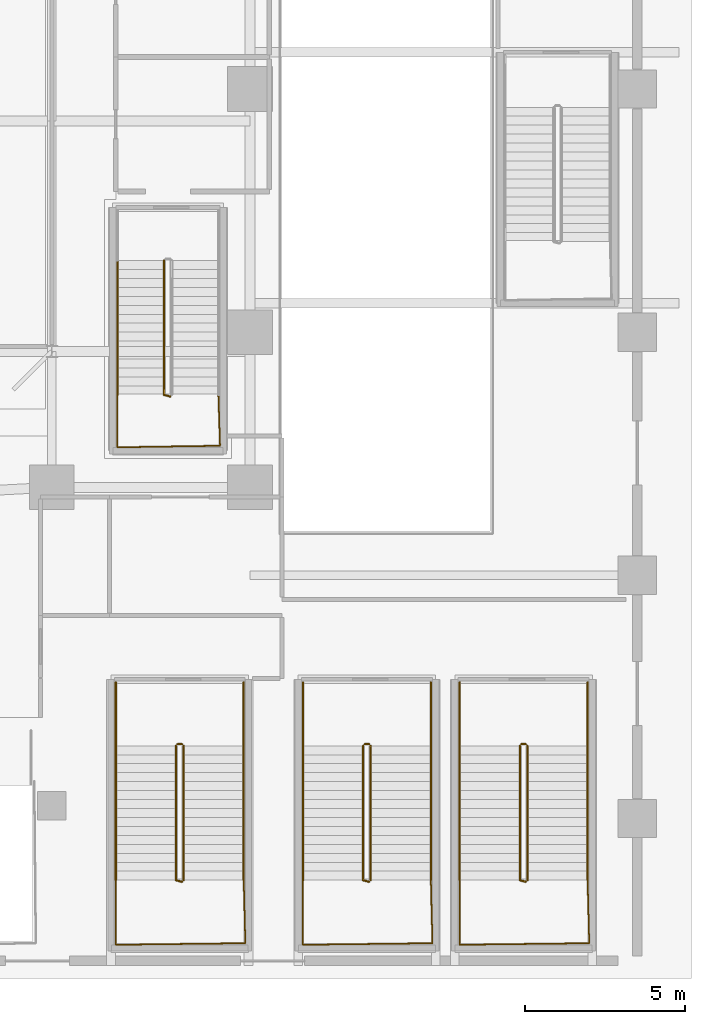
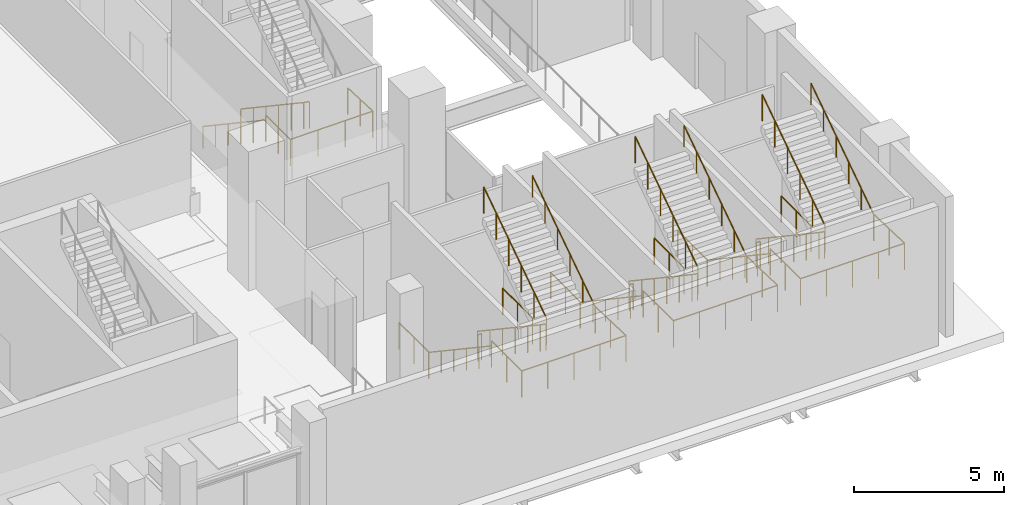
# One storey, part 33 of 36: 27 railings.
"""IFC4 building model written with IfcOpenShell, lengths in metres."""

from ifc_helpers import new_model, si_unit, direction, frame, origin, origin_2d, place, context, subcontext, project, spatial, circle, extrude, material, layer, layer_set, type_object, element, save


model = new_model("IFC4")

# Units and contexts
model_context = context("Model", 3, precision=1e-05, world=origin(), true_north=direction((0.0, 1.0)))
body_context = subcontext(model_context, "Body", "Model", "MODEL_VIEW")
ifc_project = project(units=[si_unit("LENGTHUNIT", "METRE"), si_unit("AREAUNIT", "SQUARE_METRE"), si_unit("VOLUMEUNIT", "CUBIC_METRE"), si_unit("PLANEANGLEUNIT", "RADIAN"), si_unit("MASSUNIT", "GRAM", prefix="KILO")], contexts=[model_context])

# Site, building, storey
site_placement = place(None, origin())
site = spatial("IfcSite", under=ifc_project, at=site_placement, CompositionType="ELEMENT")
building_placement = place(site_placement, origin())
building = spatial("IfcBuilding", under=site, at=building_placement, Name="Ndaravel Arena Tower", CompositionType="ELEMENT")
storey_placement = place(building_placement, origin())
storey = spatial("IfcBuildingStorey", under=building, at=storey_placement, Name="L00", CompositionType="ELEMENT", Elevation=0.0)

# Railings
ifc_material_1 = material(Name="Steel S355", Category="steel")
ifc_layer_1 = layer(ifc_material_1, 0.06005859375)
ifc_layer_set_1 = layer_set([ifc_layer_1], Name="Steel S355")
railing_type_1 = type_object("IfcRailingType", Name="RAIL-STAIR-GD1100", PredefinedType="GUARDRAIL", material=ifc_layer_set_1)
railing_1_placement = place(storey_placement, frame((67.8798828125, 7.27001953125, 0.1875)))
element("IfcRailing", 1, at=railing_1_placement, inside=storey, type_object=railing_type_1, Name="L00 ST-A04 stair guard 1", PredefinedType="GUARDRAIL", context=body_context, shape_type="SweptSolid", body=[
    extrude(circle(Radius=0.02392578125, at=origin_2d()), frame((0.0, 0.0, 1.076171875), z_axis=(0.0, -0.830904186295, 0.556415522067), x_axis=(1.0, 0.0, 0.0)), (0.0, 0.0, 1.0), 5.0546875),
    extrude(circle(Radius=0.02392578125, at=origin_2d()), frame((0.0, -4.199951171875, 3.888671875), z_axis=(0.967074537263, -0.25449329928, 0.0), x_axis=(0.25449329928, 0.967074537263, 0.0)), (0.0, 0.0, 1.0), 0.19677734375),
    extrude(circle(Radius=0.02099609375, at=origin_2d()), origin(), (0.0, 0.0, 1.0), 1.052001953125),
    extrude(circle(Radius=0.02099609375, at=origin_2d()), frame((0.0, -0.840087890625, 0.5625)), (0.0, 0.0, 1.0), 1.052001953125),
    extrude(circle(Radius=0.02099609375, at=origin_2d()), frame((0.0, -1.679931640625, 1.125)), (0.0, 0.0, 1.0), 1.052001953125),
    extrude(circle(Radius=0.02099609375, at=origin_2d()), frame((0.0, -2.52001953125, 1.6875)), (0.0, 0.0, 1.0), 1.052001953125),
    extrude(circle(Radius=0.02099609375, at=origin_2d()), frame((0.0, -3.35986328125, 2.25)), (0.0, 0.0, 1.0), 1.052001953125),
    extrude(circle(Radius=0.02099609375, at=origin_2d()), frame((0.0, -4.199951171875, 2.8125)), (0.0, 0.0, 1.0), 1.052001953125),
    extrude(circle(Radius=0.02099609375, at=origin_2d()), frame((0.190185546875, -4.25, 2.8125)), (0.0, 0.0, 1.0), 1.052001953125),
])
railing_2_placement = place(storey_placement, frame((66.0, 3.070068359375, 3.0)))
element("IfcRailing", 2, at=railing_2_placement, inside=storey, type_object=railing_type_1, Name="L00 ST-A04 stair guard 2", PredefinedType="GUARDRAIL", context=body_context, shape_type="SweptSolid", body=[
    extrude(circle(Radius=0.02392578125, at=origin_2d()), frame((0.0, 0.0, 1.076171875), z_axis=(0.0, -1.0, 0.0), x_axis=(1.0, 0.0, 0.0)), (0.0, 0.0, 1.0), 2.02001953125),
    extrude(circle(Radius=0.02392578125, at=origin_2d()), frame((0.0, -2.02001953125, 1.076171875), z_axis=(0.999923653774, 0.012356642897, 0.0), x_axis=(-0.012356642897, 0.999923653774, 0.0)), (0.0, 0.0, 1.0), 4.05029296875),
    extrude(circle(Radius=0.02392578125, at=origin_2d()), frame((4.050048828125, -1.969970703125, 1.076171875), z_axis=(-0.025397679083, 0.999677426922, 0.0), x_axis=(-0.999677426922, -0.025397679083, 0.0)), (0.0, 0.0, 1.0), 1.970703125),
    extrude(circle(Radius=0.02099609375, at=origin_2d()), origin(), (0.0, 0.0, 1.0), 1.052001953125),
    extrude(circle(Radius=0.02099609375, at=origin_2d()), frame((0.0, -1.010009765625, 0.0)), (0.0, 0.0, 1.0), 1.052001953125),
    extrude(circle(Radius=0.02099609375, at=origin_2d()), frame((0.0, -2.02001953125, 0.0)), (0.0, 0.0, 1.0), 1.052001953125),
    extrude(circle(Radius=0.02099609375, at=origin_2d()), frame((1.012451171875, -2.007568359375, 0.0)), (0.0, 0.0, 1.0), 1.052001953125),
    extrude(circle(Radius=0.02099609375, at=origin_2d()), frame((2.02490234375, -1.9951171875, 0.0)), (0.0, 0.0, 1.0), 1.052001953125),
    extrude(circle(Radius=0.02099609375, at=origin_2d()), frame((3.03759765625, -1.982421875, 0.0)), (0.0, 0.0, 1.0), 1.052001953125),
    extrude(circle(Radius=0.02099609375, at=origin_2d()), frame((4.050048828125, -1.969970703125, 0.0)), (0.0, 0.0, 1.0), 1.052001953125),
    extrude(circle(Radius=0.02099609375, at=origin_2d()), frame((4.02490234375, -0.98486328125, 0.0)), (0.0, 0.0, 1.0), 1.052001953125),
    extrude(circle(Radius=0.02099609375, at=origin_2d()), frame((4.0, 0.0, 0.0)), (0.0, 0.0, 1.0), 1.052001953125),
])
railing_3_placement = place(storey_placement, frame((68.1201171875, 3.070068359375, 3.1875)))
element("IfcRailing", 3, at=railing_3_placement, inside=storey, type_object=railing_type_1, Name="L00 ST-A04 stair guard 3", PredefinedType="GUARDRAIL", context=body_context, shape_type="SweptSolid", body=[
    extrude(circle(Radius=0.02392578125, at=origin_2d()), frame((0.0, 0.0, 1.076171875), z_axis=(0.0, 0.830904186295, 0.556415522067), x_axis=(-1.0, 0.0, 0.0)), (0.0, 0.0, 1.0), 5.0546875),
    extrude(circle(Radius=0.02099609375, at=origin_2d()), origin(), (0.0, 0.0, 1.0), 1.052001953125),
    extrude(circle(Radius=0.02099609375, at=origin_2d()), frame((0.0, 0.840087890625, 0.5625)), (0.0, 0.0, 1.0), 1.052001953125),
    extrude(circle(Radius=0.02099609375, at=origin_2d()), frame((0.0, 1.679931640625, 1.125)), (0.0, 0.0, 1.0), 1.052001953125),
    extrude(circle(Radius=0.02099609375, at=origin_2d()), frame((0.0, 2.52001953125, 1.6875)), (0.0, 0.0, 1.0), 1.052001953125),
    extrude(circle(Radius=0.02099609375, at=origin_2d()), frame((0.0, 3.35986328125, 2.25)), (0.0, 0.0, 1.0), 1.052001953125),
    extrude(circle(Radius=0.02099609375, at=origin_2d()), frame((0.0, 4.199951171875, 2.8125)), (0.0, 0.0, 1.0), 1.052001953125),
])
railing_4_placement = place(storey_placement, frame((67.929931640625, 7.320068359375, 0.0)))
element("IfcRailing", 4, at=railing_4_placement, inside=storey, type_object=railing_type_1, Name="L00 ST-A04 stair guard 4", PredefinedType="GUARDRAIL", context=body_context, shape_type="SweptSolid", body=[
    extrude(circle(Radius=0.02392578125, at=origin_2d()), frame((0.0, 0.0, 1.076171875), z_axis=(1.0, 0.0, 0.0), x_axis=(0.0, 1.0, 0.0)), (0.0, 0.0, 1.0), 0.14013671875),
    extrude(circle(Radius=0.02099609375, at=origin_2d()), origin(), (0.0, 0.0, 1.0), 1.052001953125),
    extrude(circle(Radius=0.02099609375, at=origin_2d()), frame((0.14013671875, 0.0, 0.0)), (0.0, 0.0, 1.0), 1.052001953125),
])
for number, where, name in (
    (5, (66.0, 9.25, 0.0), "L00 ST-A04 stair guard 5"),
    (6, (70.0, 9.25, 0.0), "L00 ST-A04 stair guard 6"),
):
    element("IfcRailing", number, at=place(storey_placement, frame(where)), inside=storey, type_object=railing_type_1, Name=name, PredefinedType="GUARDRAIL", context=body_context, shape_type="SweptSolid", body=[
        extrude(circle(Radius=0.02392578125, at=origin_2d()), frame((0.0, 0.0, 1.076171875), z_axis=(0.0, -1.0, 0.0), x_axis=(1.0, 0.0, 0.0)), (0.0, 0.0, 1.0), 1.97998046875),
        extrude(circle(Radius=0.02099609375, at=origin_2d()), origin(), (0.0, 0.0, 1.0), 1.052001953125),
        extrude(circle(Radius=0.02099609375, at=origin_2d()), frame((0.0, -0.989990234375, 0.0)), (0.0, 0.0, 1.0), 1.052001953125),
        extrude(circle(Radius=0.02099609375, at=origin_2d()), frame((0.0, -1.97998046875, 0.0)), (0.0, 0.0, 1.0), 1.052001953125),
    ])
railing_5_placement = place(storey_placement, frame((73.72998046875, 7.27001953125, 0.1875)))
element("IfcRailing", 7, at=railing_5_placement, inside=storey, type_object=railing_type_1, Name="L00 ST-A05 stair guard 1", PredefinedType="GUARDRAIL", context=body_context, shape_type="SweptSolid", body=[
    extrude(circle(Radius=0.02392578125, at=origin_2d()), frame((0.0, 0.0, 1.076171875), z_axis=(0.0, -0.830904186295, 0.556415522067), x_axis=(1.0, 0.0, 0.0)), (0.0, 0.0, 1.0), 5.0546875),
    extrude(circle(Radius=0.02392578125, at=origin_2d()), frame((0.0, -4.199951171875, 3.888671875), z_axis=(0.966993988697, -0.254799187253, 0.0), x_axis=(0.254799187253, 0.966993988697, 0.0)), (0.0, 0.0, 1.0), 0.196533203125),
    extrude(circle(Radius=0.02099609375, at=origin_2d()), origin(), (0.0, 0.0, 1.0), 1.052001953125),
    extrude(circle(Radius=0.02099609375, at=origin_2d()), frame((0.0, -0.840087890625, 0.5625)), (0.0, 0.0, 1.0), 1.052001953125),
    extrude(circle(Radius=0.02099609375, at=origin_2d()), frame((0.0, -1.679931640625, 1.125)), (0.0, 0.0, 1.0), 1.052001953125),
    extrude(circle(Radius=0.02099609375, at=origin_2d()), frame((0.0, -2.52001953125, 1.6875)), (0.0, 0.0, 1.0), 1.052001953125),
    extrude(circle(Radius=0.02099609375, at=origin_2d()), frame((0.0, -3.35986328125, 2.25)), (0.0, 0.0, 1.0), 1.052001953125),
    extrude(circle(Radius=0.02099609375, at=origin_2d()), frame((0.0, -4.199951171875, 2.8125)), (0.0, 0.0, 1.0), 1.052001953125),
    extrude(circle(Radius=0.02099609375, at=origin_2d()), frame((0.18994140625, -4.25, 2.8125)), (0.0, 0.0, 1.0), 1.052001953125),
])
railing_6_placement = place(storey_placement, frame((71.85009765625, 3.070068359375, 3.0)))
element("IfcRailing", 8, at=railing_6_placement, inside=storey, type_object=railing_type_1, Name="L00 ST-A05 stair guard 2", PredefinedType="GUARDRAIL", context=body_context, shape_type="SweptSolid", body=[
    extrude(circle(Radius=0.02392578125, at=origin_2d()), frame((0.0, 0.0, 1.076171875), z_axis=(0.0, -1.0, 0.0), x_axis=(1.0, 0.0, 0.0)), (0.0, 0.0, 1.0), 2.02001953125),
    extrude(circle(Radius=0.02392578125, at=origin_2d()), frame((0.0, -2.02001953125, 1.076171875), z_axis=(0.99992364457, 0.012357387698, 0.0), x_axis=(-0.012357387698, 0.99992364457, 0.0)), (0.0, 0.0, 1.0), 4.050048828125),
    extrude(circle(Radius=0.02392578125, at=origin_2d()), frame((4.0498046875, -1.969970703125, 1.076171875), z_axis=(-0.025273867297, 0.999680564797, 0.0), x_axis=(-0.999680564797, -0.025273867297, 0.0)), (0.0, 0.0, 1.0), 1.970703125),
    extrude(circle(Radius=0.02099609375, at=origin_2d()), origin(), (0.0, 0.0, 1.0), 1.052001953125),
    extrude(circle(Radius=0.02099609375, at=origin_2d()), frame((0.0, -1.010009765625, 0.0)), (0.0, 0.0, 1.0), 1.052001953125),
    extrude(circle(Radius=0.02099609375, at=origin_2d()), frame((0.0, -2.02001953125, 0.0)), (0.0, 0.0, 1.0), 1.052001953125),
    extrude(circle(Radius=0.02099609375, at=origin_2d()), frame((1.012451171875, -2.007568359375, 0.0)), (0.0, 0.0, 1.0), 1.052001953125),
    extrude(circle(Radius=0.02099609375, at=origin_2d()), frame((2.02490234375, -1.9951171875, 0.0)), (0.0, 0.0, 1.0), 1.052001953125),
    extrude(circle(Radius=0.02099609375, at=origin_2d()), frame((3.037353515625, -1.982421875, 0.0)), (0.0, 0.0, 1.0), 1.052001953125),
    extrude(circle(Radius=0.02099609375, at=origin_2d()), frame((4.0498046875, -1.969970703125, 0.0)), (0.0, 0.0, 1.0), 1.052001953125),
    extrude(circle(Radius=0.02099609375, at=origin_2d()), frame((4.02490234375, -0.98486328125, 0.0)), (0.0, 0.0, 1.0), 1.052001953125),
    extrude(circle(Radius=0.02099609375, at=origin_2d()), frame((4.0, 0.0, 0.0)), (0.0, 0.0, 1.0), 1.052001953125),
])
railing_7_placement = place(storey_placement, frame((73.969970703125, 3.070068359375, 3.1875)))
element("IfcRailing", 9, at=railing_7_placement, inside=storey, type_object=railing_type_1, Name="L00 ST-A05 stair guard 3", PredefinedType="GUARDRAIL", context=body_context, shape_type="SweptSolid", body=[
    extrude(circle(Radius=0.02392578125, at=origin_2d()), frame((0.0, 0.0, 1.076171875), z_axis=(0.0, 0.830904186295, 0.556415522067), x_axis=(-1.0, 0.0, 0.0)), (0.0, 0.0, 1.0), 5.0546875),
    extrude(circle(Radius=0.02099609375, at=origin_2d()), origin(), (0.0, 0.0, 1.0), 1.052001953125),
    extrude(circle(Radius=0.02099609375, at=origin_2d()), frame((0.0, 0.840087890625, 0.5625)), (0.0, 0.0, 1.0), 1.052001953125),
    extrude(circle(Radius=0.02099609375, at=origin_2d()), frame((0.0, 1.679931640625, 1.125)), (0.0, 0.0, 1.0), 1.052001953125),
    extrude(circle(Radius=0.02099609375, at=origin_2d()), frame((0.0, 2.52001953125, 1.6875)), (0.0, 0.0, 1.0), 1.052001953125),
    extrude(circle(Radius=0.02099609375, at=origin_2d()), frame((0.0, 3.35986328125, 2.25)), (0.0, 0.0, 1.0), 1.052001953125),
    extrude(circle(Radius=0.02099609375, at=origin_2d()), frame((0.0, 4.199951171875, 2.8125)), (0.0, 0.0, 1.0), 1.052001953125),
])
railing_8_placement = place(storey_placement, frame((73.780029296875, 7.320068359375, 0.0)))
element("IfcRailing", 10, at=railing_8_placement, inside=storey, type_object=railing_type_1, Name="L00 ST-A05 stair guard 4", PredefinedType="GUARDRAIL", context=body_context, shape_type="SweptSolid", body=[
    extrude(circle(Radius=0.02392578125, at=origin_2d()), frame((0.0, 0.0, 1.076171875), z_axis=(1.0, 0.0, 0.0), x_axis=(0.0, 1.0, 0.0)), (0.0, 0.0, 1.0), 0.139892578125),
    extrude(circle(Radius=0.02099609375, at=origin_2d()), origin(), (0.0, 0.0, 1.0), 1.052001953125),
    extrude(circle(Radius=0.02099609375, at=origin_2d()), frame((0.139892578125, 0.0, 0.0)), (0.0, 0.0, 1.0), 1.052001953125),
])
for number, where, name in (
    (11, (71.85009765625, 9.25, 0.0), "L00 ST-A05 stair guard 5"),
    (12, (75.85009765625, 9.25, 0.0), "L00 ST-A05 stair guard 6"),
):
    element("IfcRailing", number, at=place(storey_placement, frame(where)), inside=storey, type_object=railing_type_1, Name=name, PredefinedType="GUARDRAIL", context=body_context, shape_type="SweptSolid", body=[
        extrude(circle(Radius=0.02392578125, at=origin_2d()), frame((0.0, 0.0, 1.076171875), z_axis=(0.0, -1.0, 0.0), x_axis=(1.0, 0.0, 0.0)), (0.0, 0.0, 1.0), 1.97998046875),
        extrude(circle(Radius=0.02099609375, at=origin_2d()), origin(), (0.0, 0.0, 1.0), 1.052001953125),
        extrude(circle(Radius=0.02099609375, at=origin_2d()), frame((0.0, -0.989990234375, 0.0)), (0.0, 0.0, 1.0), 1.052001953125),
        extrude(circle(Radius=0.02099609375, at=origin_2d()), frame((0.0, -1.97998046875, 0.0)), (0.0, 0.0, 1.0), 1.052001953125),
    ])
railing_9_placement = place(storey_placement, frame((78.6298828125, 7.27001953125, 0.1875)))
element("IfcRailing", 13, at=railing_9_placement, inside=storey, type_object=railing_type_1, Name="L00 ST-A06 stair guard 1", PredefinedType="GUARDRAIL", context=body_context, shape_type="SweptSolid", body=[
    extrude(circle(Radius=0.02392578125, at=origin_2d()), frame((0.0, 0.0, 1.076171875), z_axis=(0.0, -0.830904186295, 0.556415522067), x_axis=(1.0, 0.0, 0.0)), (0.0, 0.0, 1.0), 5.0546875),
    extrude(circle(Radius=0.02392578125, at=origin_2d()), frame((0.0, -4.199951171875, 3.888671875), z_axis=(0.967074537263, -0.25449329928, 0.0), x_axis=(0.25449329928, 0.967074537263, 0.0)), (0.0, 0.0, 1.0), 0.19677734375),
    extrude(circle(Radius=0.02099609375, at=origin_2d()), origin(), (0.0, 0.0, 1.0), 1.052001953125),
    extrude(circle(Radius=0.02099609375, at=origin_2d()), frame((0.0, -0.840087890625, 0.5625)), (0.0, 0.0, 1.0), 1.052001953125),
    extrude(circle(Radius=0.02099609375, at=origin_2d()), frame((0.0, -1.679931640625, 1.125)), (0.0, 0.0, 1.0), 1.052001953125),
    extrude(circle(Radius=0.02099609375, at=origin_2d()), frame((0.0, -2.52001953125, 1.6875)), (0.0, 0.0, 1.0), 1.052001953125),
    extrude(circle(Radius=0.02099609375, at=origin_2d()), frame((0.0, -3.35986328125, 2.25)), (0.0, 0.0, 1.0), 1.052001953125),
    extrude(circle(Radius=0.02099609375, at=origin_2d()), frame((0.0, -4.199951171875, 2.8125)), (0.0, 0.0, 1.0), 1.052001953125),
    extrude(circle(Radius=0.02099609375, at=origin_2d()), frame((0.190185546875, -4.25, 2.8125)), (0.0, 0.0, 1.0), 1.052001953125),
])
railing_10_placement = place(storey_placement, frame((76.75, 3.070068359375, 3.0)))
element("IfcRailing", 14, at=railing_10_placement, inside=storey, type_object=railing_type_1, Name="L00 ST-A06 stair guard 2", PredefinedType="GUARDRAIL", context=body_context, shape_type="SweptSolid", body=[
    extrude(circle(Radius=0.02392578125, at=origin_2d()), frame((0.0, 0.0, 1.076171875), z_axis=(0.0, -1.0, 0.0), x_axis=(1.0, 0.0, 0.0)), (0.0, 0.0, 1.0), 2.02001953125),
    extrude(circle(Radius=0.02392578125, at=origin_2d()), frame((0.0, -2.02001953125, 1.076171875), z_axis=(0.999923653774, 0.012356642897, 0.0), x_axis=(-0.012356642897, 0.999923653774, 0.0)), (0.0, 0.0, 1.0), 4.05029296875),
    extrude(circle(Radius=0.02392578125, at=origin_2d()), frame((4.050048828125, -1.969970703125, 1.076171875), z_axis=(-0.025397679083, 0.999677426922, 0.0), x_axis=(-0.999677426922, -0.025397679083, 0.0)), (0.0, 0.0, 1.0), 1.970703125),
    extrude(circle(Radius=0.02099609375, at=origin_2d()), origin(), (0.0, 0.0, 1.0), 1.052001953125),
    extrude(circle(Radius=0.02099609375, at=origin_2d()), frame((0.0, -1.010009765625, 0.0)), (0.0, 0.0, 1.0), 1.052001953125),
    extrude(circle(Radius=0.02099609375, at=origin_2d()), frame((0.0, -2.02001953125, 0.0)), (0.0, 0.0, 1.0), 1.052001953125),
    extrude(circle(Radius=0.02099609375, at=origin_2d()), frame((1.012451171875, -2.007568359375, 0.0)), (0.0, 0.0, 1.0), 1.052001953125),
    extrude(circle(Radius=0.02099609375, at=origin_2d()), frame((2.02490234375, -1.9951171875, 0.0)), (0.0, 0.0, 1.0), 1.052001953125),
    extrude(circle(Radius=0.02099609375, at=origin_2d()), frame((3.03759765625, -1.982421875, 0.0)), (0.0, 0.0, 1.0), 1.052001953125),
    extrude(circle(Radius=0.02099609375, at=origin_2d()), frame((4.050048828125, -1.969970703125, 0.0)), (0.0, 0.0, 1.0), 1.052001953125),
    extrude(circle(Radius=0.02099609375, at=origin_2d()), frame((4.02490234375, -0.98486328125, 0.0)), (0.0, 0.0, 1.0), 1.052001953125),
    extrude(circle(Radius=0.02099609375, at=origin_2d()), frame((4.0, 0.0, 0.0)), (0.0, 0.0, 1.0), 1.052001953125),
])
railing_11_placement = place(storey_placement, frame((78.8701171875, 3.070068359375, 3.1875)))
element("IfcRailing", 15, at=railing_11_placement, inside=storey, type_object=railing_type_1, Name="L00 ST-A06 stair guard 3", PredefinedType="GUARDRAIL", context=body_context, shape_type="SweptSolid", body=[
    extrude(circle(Radius=0.02392578125, at=origin_2d()), frame((0.0, 0.0, 1.076171875), z_axis=(0.0, 0.830904186295, 0.556415522067), x_axis=(-1.0, 0.0, 0.0)), (0.0, 0.0, 1.0), 5.0546875),
    extrude(circle(Radius=0.02099609375, at=origin_2d()), origin(), (0.0, 0.0, 1.0), 1.052001953125),
    extrude(circle(Radius=0.02099609375, at=origin_2d()), frame((0.0, 0.840087890625, 0.5625)), (0.0, 0.0, 1.0), 1.052001953125),
    extrude(circle(Radius=0.02099609375, at=origin_2d()), frame((0.0, 1.679931640625, 1.125)), (0.0, 0.0, 1.0), 1.052001953125),
    extrude(circle(Radius=0.02099609375, at=origin_2d()), frame((0.0, 2.52001953125, 1.6875)), (0.0, 0.0, 1.0), 1.052001953125),
    extrude(circle(Radius=0.02099609375, at=origin_2d()), frame((0.0, 3.35986328125, 2.25)), (0.0, 0.0, 1.0), 1.052001953125),
    extrude(circle(Radius=0.02099609375, at=origin_2d()), frame((0.0, 4.199951171875, 2.8125)), (0.0, 0.0, 1.0), 1.052001953125),
])
railing_12_placement = place(storey_placement, frame((78.679931640625, 7.320068359375, 0.0)))
element("IfcRailing", 16, at=railing_12_placement, inside=storey, type_object=railing_type_1, Name="L00 ST-A06 stair guard 4", PredefinedType="GUARDRAIL", context=body_context, shape_type="SweptSolid", body=[
    extrude(circle(Radius=0.02392578125, at=origin_2d()), frame((0.0, 0.0, 1.076171875), z_axis=(1.0, 0.0, 0.0), x_axis=(0.0, 1.0, 0.0)), (0.0, 0.0, 1.0), 0.14013671875),
    extrude(circle(Radius=0.02099609375, at=origin_2d()), origin(), (0.0, 0.0, 1.0), 1.052001953125),
    extrude(circle(Radius=0.02099609375, at=origin_2d()), frame((0.14013671875, 0.0, 0.0)), (0.0, 0.0, 1.0), 1.052001953125),
])
for number, where, name in (
    (17, (76.75, 9.25, 0.0), "L00 ST-A06 stair guard 5"),
    (18, (80.75, 9.25, 0.0), "L00 ST-A06 stair guard 6"),
):
    element("IfcRailing", number, at=place(storey_placement, frame(where)), inside=storey, type_object=railing_type_1, Name=name, PredefinedType="GUARDRAIL", context=body_context, shape_type="SweptSolid", body=[
        extrude(circle(Radius=0.02392578125, at=origin_2d()), frame((0.0, 0.0, 1.076171875), z_axis=(0.0, -1.0, 0.0), x_axis=(1.0, 0.0, 0.0)), (0.0, 0.0, 1.0), 1.97998046875),
        extrude(circle(Radius=0.02099609375, at=origin_2d()), origin(), (0.0, 0.0, 1.0), 1.052001953125),
        extrude(circle(Radius=0.02099609375, at=origin_2d()), frame((0.0, -0.989990234375, 0.0)), (0.0, 0.0, 1.0), 1.052001953125),
        extrude(circle(Radius=0.02099609375, at=origin_2d()), frame((0.0, -1.97998046875, 0.0)), (0.0, 0.0, 1.0), 1.052001953125),
    ])
railing_13_placement = place(storey_placement, frame((67.510009765625, 22.43994140625, 0.1875)))
element("IfcRailing", 19, at=railing_13_placement, inside=storey, type_object=railing_type_1, Name="L00 ST-VOM-3 stair guard 1", PredefinedType="GUARDRAIL", context=body_context, shape_type="SweptSolid", body=[
    extrude(circle(Radius=0.02392578125, at=origin_2d()), frame((0.0, 0.0, 1.076171875), z_axis=(0.0, -0.830904186295, 0.556415522067), x_axis=(1.0, 0.0, 0.0)), (0.0, 0.0, 1.0), 5.0546875),
    extrude(circle(Radius=0.02392578125, at=origin_2d()), frame((0.0, -4.199951171875, 3.888671875), z_axis=(0.966993988697, -0.254799187253, 0.0), x_axis=(0.254799187253, 0.966993988697, 0.0)), (0.0, 0.0, 1.0), 0.196533203125),
    extrude(circle(Radius=0.02099609375, at=origin_2d()), origin(), (0.0, 0.0, 1.0), 1.052001953125),
    extrude(circle(Radius=0.02099609375, at=origin_2d()), frame((0.0, -0.840087890625, 0.5625)), (0.0, 0.0, 1.0), 1.052001953125),
    extrude(circle(Radius=0.02099609375, at=origin_2d()), frame((0.0, -1.679931640625, 1.125)), (0.0, 0.0, 1.0), 1.052001953125),
    extrude(circle(Radius=0.02099609375, at=origin_2d()), frame((0.0, -2.52001953125, 1.6875)), (0.0, 0.0, 1.0), 1.052001953125),
    extrude(circle(Radius=0.02099609375, at=origin_2d()), frame((0.0, -3.35986328125, 2.25)), (0.0, 0.0, 1.0), 1.052001953125),
    extrude(circle(Radius=0.02099609375, at=origin_2d()), frame((0.0, -4.199951171875, 2.8125)), (0.0, 0.0, 1.0), 1.052001953125),
    extrude(circle(Radius=0.02099609375, at=origin_2d()), frame((0.18994140625, -4.25, 2.8125)), (0.0, 0.0, 1.0), 1.052001953125),
])
railing_14_placement = place(storey_placement, frame((66.050048828125, 18.239990234375, 3.0)))
element("IfcRailing", 20, at=railing_14_placement, inside=storey, type_object=railing_type_1, Name="L00 ST-VOM-3 stair guard 2", PredefinedType="GUARDRAIL", context=body_context, shape_type="SweptSolid", body=[
    extrude(circle(Radius=0.02392578125, at=origin_2d()), frame((0.0, 0.0, 1.076171875), z_axis=(0.0, -1.0, 0.0), x_axis=(1.0, 0.0, 0.0)), (0.0, 0.0, 1.0), 1.639892578125),
    extrude(circle(Radius=0.02392578125, at=origin_2d()), frame((0.0, -1.639892578125, 1.076171875), z_axis=(0.999879653755, 0.01551380053, 0.0), x_axis=(-0.01551380053, 0.999879653755, 0.0)), (0.0, 0.0, 1.0), 3.21044921875),
    extrude(circle(Radius=0.02392578125, at=origin_2d()), frame((3.2099609375, -1.590087890625, 1.076171875), z_axis=(-0.031459930577, 0.999505013878, 0.0), x_axis=(-0.999505013878, -0.031459930577, 0.0)), (0.0, 0.0, 1.0), 1.5908203125),
    extrude(circle(Radius=0.02099609375, at=origin_2d()), origin(), (0.0, 0.0, 1.0), 1.052001953125),
    extrude(circle(Radius=0.02099609375, at=origin_2d()), frame((0.0, -0.81982421875, 0.0)), (0.0, 0.0, 1.0), 1.052001953125),
    extrude(circle(Radius=0.02099609375, at=origin_2d()), frame((0.0, -1.639892578125, 0.0)), (0.0, 0.0, 1.0), 1.052001953125),
    extrude(circle(Radius=0.02099609375, at=origin_2d()), frame((1.070068359375, -1.623291015625, 0.0)), (0.0, 0.0, 1.0), 1.052001953125),
    extrude(circle(Radius=0.02099609375, at=origin_2d()), frame((2.139892578125, -1.606689453125, 0.0)), (0.0, 0.0, 1.0), 1.052001953125),
    extrude(circle(Radius=0.02099609375, at=origin_2d()), frame((3.2099609375, -1.590087890625, 0.0)), (0.0, 0.0, 1.0), 1.052001953125),
    extrude(circle(Radius=0.02099609375, at=origin_2d()), frame((3.18505859375, -0.794921875, 0.0)), (0.0, 0.0, 1.0), 1.052001953125),
    extrude(circle(Radius=0.02099609375, at=origin_2d()), frame((3.159912109375, 0.0, 0.0)), (0.0, 0.0, 1.0), 1.052001953125),
])
ifc_material_2 = material(Name="Steel S355", Category="steel")
ifc_layer_2 = layer(ifc_material_2, 0.050048828125)
ifc_layer_set_2 = layer_set([ifc_layer_2], Name="Steel S355")
railing_type_2 = type_object("IfcRailingType", Name="RAIL-STAIR-HR920", PredefinedType="HANDRAIL", material=ifc_layer_set_2)
railing_15_placement = place(storey_placement, frame((66.0, 7.27001953125, 0.1875)))
element("IfcRailing", 21, at=railing_15_placement, inside=storey, type_object=railing_type_2, Name="L00 ST-A04 stair handrail 1", PredefinedType="HANDRAIL", context=body_context, shape_type="SweptSolid", body=[
    extrude(circle(Radius=0.02392578125, at=origin_2d()), frame((0.0, 0.0, 0.8759765625), z_axis=(0.0, -0.830904186295, 0.556415522067), x_axis=(1.0, 0.0, 0.0)), (0.0, 0.0, 1.0), 5.0546875),
    extrude(circle(Radius=0.02099609375, at=origin_2d()), origin(), (0.0, 0.0, 1.0), 0.851806640625),
    extrude(circle(Radius=0.02099609375, at=origin_2d()), frame((0.0, -0.840087890625, 0.5625)), (0.0, 0.0, 1.0), 0.851806640625),
    extrude(circle(Radius=0.02099609375, at=origin_2d()), frame((0.0, -1.679931640625, 1.125)), (0.0, 0.0, 1.0), 0.851806640625),
    extrude(circle(Radius=0.02099609375, at=origin_2d()), frame((0.0, -2.52001953125, 1.6875)), (0.0, 0.0, 1.0), 0.851806640625),
    extrude(circle(Radius=0.02099609375, at=origin_2d()), frame((0.0, -3.35986328125, 2.25)), (0.0, 0.0, 1.0), 0.851806640625),
    extrude(circle(Radius=0.02099609375, at=origin_2d()), frame((0.0, -4.199951171875, 2.8125)), (0.0, 0.0, 1.0), 0.851806640625),
])
railing_16_placement = place(storey_placement, frame((70.0, 3.070068359375, 3.1875)))
element("IfcRailing", 22, at=railing_16_placement, inside=storey, type_object=railing_type_2, Name="L00 ST-A04 stair handrail 2", PredefinedType="HANDRAIL", context=body_context, shape_type="SweptSolid", body=[
    extrude(circle(Radius=0.02392578125, at=origin_2d()), frame((0.0, 0.0, 0.8759765625), z_axis=(0.0, 0.830904186295, 0.556415522067), x_axis=(-1.0, 0.0, 0.0)), (0.0, 0.0, 1.0), 5.0546875),
    extrude(circle(Radius=0.02099609375, at=origin_2d()), origin(), (0.0, 0.0, 1.0), 0.851806640625),
    extrude(circle(Radius=0.02099609375, at=origin_2d()), frame((0.0, 0.840087890625, 0.5625)), (0.0, 0.0, 1.0), 0.851806640625),
    extrude(circle(Radius=0.02099609375, at=origin_2d()), frame((0.0, 1.679931640625, 1.125)), (0.0, 0.0, 1.0), 0.851806640625),
    extrude(circle(Radius=0.02099609375, at=origin_2d()), frame((0.0, 2.52001953125, 1.6875)), (0.0, 0.0, 1.0), 0.851806640625),
    extrude(circle(Radius=0.02099609375, at=origin_2d()), frame((0.0, 3.35986328125, 2.25)), (0.0, 0.0, 1.0), 0.851806640625),
    extrude(circle(Radius=0.02099609375, at=origin_2d()), frame((0.0, 4.199951171875, 2.8125)), (0.0, 0.0, 1.0), 0.851806640625),
])
railing_17_placement = place(storey_placement, frame((71.85009765625, 7.27001953125, 0.1875)))
element("IfcRailing", 23, at=railing_17_placement, inside=storey, type_object=railing_type_2, Name="L00 ST-A05 stair handrail 1", PredefinedType="HANDRAIL", context=body_context, shape_type="SweptSolid", body=[
    extrude(circle(Radius=0.02392578125, at=origin_2d()), frame((0.0, 0.0, 0.8759765625), z_axis=(0.0, -0.830904186295, 0.556415522067), x_axis=(1.0, 0.0, 0.0)), (0.0, 0.0, 1.0), 5.0546875),
    extrude(circle(Radius=0.02099609375, at=origin_2d()), origin(), (0.0, 0.0, 1.0), 0.851806640625),
    extrude(circle(Radius=0.02099609375, at=origin_2d()), frame((0.0, -0.840087890625, 0.5625)), (0.0, 0.0, 1.0), 0.851806640625),
    extrude(circle(Radius=0.02099609375, at=origin_2d()), frame((0.0, -1.679931640625, 1.125)), (0.0, 0.0, 1.0), 0.851806640625),
    extrude(circle(Radius=0.02099609375, at=origin_2d()), frame((0.0, -2.52001953125, 1.6875)), (0.0, 0.0, 1.0), 0.851806640625),
    extrude(circle(Radius=0.02099609375, at=origin_2d()), frame((0.0, -3.35986328125, 2.25)), (0.0, 0.0, 1.0), 0.851806640625),
    extrude(circle(Radius=0.02099609375, at=origin_2d()), frame((0.0, -4.199951171875, 2.8125)), (0.0, 0.0, 1.0), 0.851806640625),
])
railing_18_placement = place(storey_placement, frame((75.85009765625, 3.070068359375, 3.1875)))
element("IfcRailing", 24, at=railing_18_placement, inside=storey, type_object=railing_type_2, Name="L00 ST-A05 stair handrail 2", PredefinedType="HANDRAIL", context=body_context, shape_type="SweptSolid", body=[
    extrude(circle(Radius=0.02392578125, at=origin_2d()), frame((0.0, 0.0, 0.8759765625), z_axis=(0.0, 0.830904186295, 0.556415522067), x_axis=(-1.0, 0.0, 0.0)), (0.0, 0.0, 1.0), 5.0546875),
    extrude(circle(Radius=0.02099609375, at=origin_2d()), origin(), (0.0, 0.0, 1.0), 0.851806640625),
    extrude(circle(Radius=0.02099609375, at=origin_2d()), frame((0.0, 0.840087890625, 0.5625)), (0.0, 0.0, 1.0), 0.851806640625),
    extrude(circle(Radius=0.02099609375, at=origin_2d()), frame((0.0, 1.679931640625, 1.125)), (0.0, 0.0, 1.0), 0.851806640625),
    extrude(circle(Radius=0.02099609375, at=origin_2d()), frame((0.0, 2.52001953125, 1.6875)), (0.0, 0.0, 1.0), 0.851806640625),
    extrude(circle(Radius=0.02099609375, at=origin_2d()), frame((0.0, 3.35986328125, 2.25)), (0.0, 0.0, 1.0), 0.851806640625),
    extrude(circle(Radius=0.02099609375, at=origin_2d()), frame((0.0, 4.199951171875, 2.8125)), (0.0, 0.0, 1.0), 0.851806640625),
])
railing_19_placement = place(storey_placement, frame((76.75, 7.27001953125, 0.1875)))
element("IfcRailing", 25, at=railing_19_placement, inside=storey, type_object=railing_type_2, Name="L00 ST-A06 stair handrail 1", PredefinedType="HANDRAIL", context=body_context, shape_type="SweptSolid", body=[
    extrude(circle(Radius=0.02392578125, at=origin_2d()), frame((0.0, 0.0, 0.8759765625), z_axis=(0.0, -0.830904186295, 0.556415522067), x_axis=(1.0, 0.0, 0.0)), (0.0, 0.0, 1.0), 5.0546875),
    extrude(circle(Radius=0.02099609375, at=origin_2d()), origin(), (0.0, 0.0, 1.0), 0.851806640625),
    extrude(circle(Radius=0.02099609375, at=origin_2d()), frame((0.0, -0.840087890625, 0.5625)), (0.0, 0.0, 1.0), 0.851806640625),
    extrude(circle(Radius=0.02099609375, at=origin_2d()), frame((0.0, -1.679931640625, 1.125)), (0.0, 0.0, 1.0), 0.851806640625),
    extrude(circle(Radius=0.02099609375, at=origin_2d()), frame((0.0, -2.52001953125, 1.6875)), (0.0, 0.0, 1.0), 0.851806640625),
    extrude(circle(Radius=0.02099609375, at=origin_2d()), frame((0.0, -3.35986328125, 2.25)), (0.0, 0.0, 1.0), 0.851806640625),
    extrude(circle(Radius=0.02099609375, at=origin_2d()), frame((0.0, -4.199951171875, 2.8125)), (0.0, 0.0, 1.0), 0.851806640625),
])
railing_20_placement = place(storey_placement, frame((80.75, 3.070068359375, 3.1875)))
element("IfcRailing", 26, at=railing_20_placement, inside=storey, type_object=railing_type_2, Name="L00 ST-A06 stair handrail 2", PredefinedType="HANDRAIL", context=body_context, shape_type="SweptSolid", body=[
    extrude(circle(Radius=0.02392578125, at=origin_2d()), frame((0.0, 0.0, 0.8759765625), z_axis=(0.0, 0.830904186295, 0.556415522067), x_axis=(-1.0, 0.0, 0.0)), (0.0, 0.0, 1.0), 5.0546875),
    extrude(circle(Radius=0.02099609375, at=origin_2d()), origin(), (0.0, 0.0, 1.0), 0.851806640625),
    extrude(circle(Radius=0.02099609375, at=origin_2d()), frame((0.0, 0.840087890625, 0.5625)), (0.0, 0.0, 1.0), 0.851806640625),
    extrude(circle(Radius=0.02099609375, at=origin_2d()), frame((0.0, 1.679931640625, 1.125)), (0.0, 0.0, 1.0), 0.851806640625),
    extrude(circle(Radius=0.02099609375, at=origin_2d()), frame((0.0, 2.52001953125, 1.6875)), (0.0, 0.0, 1.0), 0.851806640625),
    extrude(circle(Radius=0.02099609375, at=origin_2d()), frame((0.0, 3.35986328125, 2.25)), (0.0, 0.0, 1.0), 0.851806640625),
    extrude(circle(Radius=0.02099609375, at=origin_2d()), frame((0.0, 4.199951171875, 2.8125)), (0.0, 0.0, 1.0), 0.851806640625),
])
railing_21_placement = place(storey_placement, frame((66.050048828125, 22.43994140625, 0.1875)))
element("IfcRailing", 27, at=railing_21_placement, inside=storey, type_object=railing_type_2, Name="L00 ST-VOM-3 stair handrail 1", PredefinedType="HANDRAIL", context=body_context, shape_type="SweptSolid", body=[
    extrude(circle(Radius=0.02392578125, at=origin_2d()), frame((0.0, 0.0, 0.8759765625), z_axis=(0.0, -0.830904186295, 0.556415522067), x_axis=(1.0, 0.0, 0.0)), (0.0, 0.0, 1.0), 5.0546875),
    extrude(circle(Radius=0.02099609375, at=origin_2d()), origin(), (0.0, 0.0, 1.0), 0.851806640625),
    extrude(circle(Radius=0.02099609375, at=origin_2d()), frame((0.0, -0.840087890625, 0.5625)), (0.0, 0.0, 1.0), 0.851806640625),
    extrude(circle(Radius=0.02099609375, at=origin_2d()), frame((0.0, -1.679931640625, 1.125)), (0.0, 0.0, 1.0), 0.851806640625),
    extrude(circle(Radius=0.02099609375, at=origin_2d()), frame((0.0, -2.52001953125, 1.6875)), (0.0, 0.0, 1.0), 0.851806640625),
    extrude(circle(Radius=0.02099609375, at=origin_2d()), frame((0.0, -3.35986328125, 2.25)), (0.0, 0.0, 1.0), 0.851806640625),
    extrude(circle(Radius=0.02099609375, at=origin_2d()), frame((0.0, -4.199951171875, 2.8125)), (0.0, 0.0, 1.0), 0.851806640625),
])

save(model, "model.ifc")
